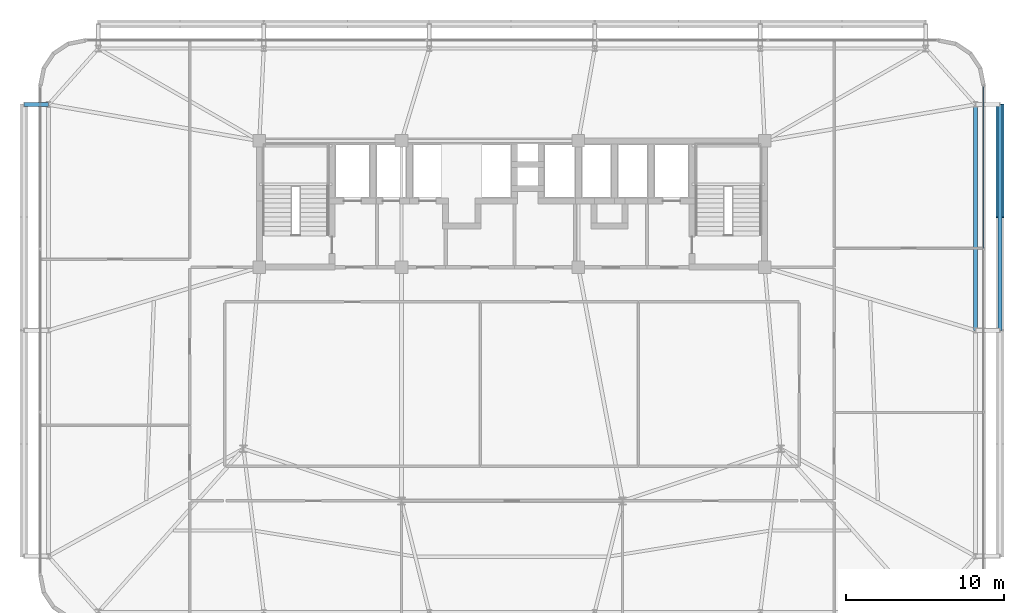
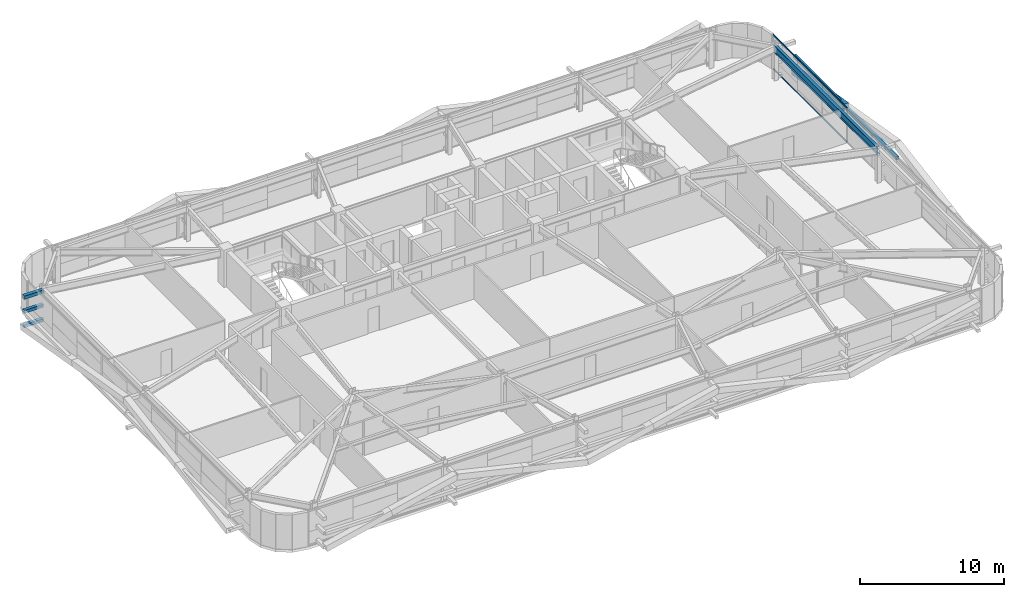
# One storey, part 20 of 44: 7 members, 1 beam, 1 element without a shape of its own.
"""IFC4 building model written with IfcOpenShell, lengths in metres."""

from ifc_helpers import new_model, si_unit, direction, frame, origin, origin_2d, place, context, subcontext, project, spatial, hollow_rectangle, i_section, extrude, source, transform, mapped, material, layer, layer_set, material_profile, profile_set, type_object, element, aggregate, save


model = new_model("IFC4")

# Units and contexts
model_context = context("Model", 3, precision=1e-05, world=origin(), true_north=direction((0.0, 1.0)))
body_context = subcontext(model_context, "Body", "Model", "MODEL_VIEW")
ifc_project = project(units=[si_unit("LENGTHUNIT", "METRE"), si_unit("AREAUNIT", "SQUARE_METRE"), si_unit("VOLUMEUNIT", "CUBIC_METRE"), si_unit("PLANEANGLEUNIT", "RADIAN"), si_unit("MASSUNIT", "GRAM", prefix="KILO")], contexts=[model_context])

# Site, building, storey
site_placement = place(None, origin())
site = spatial("IfcSite", under=ifc_project, at=site_placement, CompositionType="ELEMENT")
building_placement = place(site_placement, origin())
building = spatial("IfcBuilding", under=site, at=building_placement, Name="Taldren Reach Tower", CompositionType="ELEMENT")
storey_placement = place(building_placement, frame((0.0, 0.0, 42.0)))
storey = spatial("IfcBuildingStorey", under=building, at=storey_placement, Name="L12", CompositionType="ELEMENT", Elevation=42.0)

# Beam
ifc_material_1 = material(Name="Steel Gr 350 (350PLUS)", Category="steel")
ifc_material_profile_1 = material_profile(ifc_material_1, i_section(OverallWidth=0.22802734375, OverallDepth=0.60205078125, WebThickness=0.010498046875, FlangeThickness=0.014892578125, at=origin_2d()), Name="610UB101")
ifc_profile_set_1 = profile_set([ifc_material_profile_1], Name="Steel Gr 350 (350PLUS)")
beam_type = type_object("IfcBeamType", Name="BM-UB610B", PredefinedType="BEAM", material=ifc_profile_set_1)
shared_shape_1 = source(origin(), body_context, "Body", "SweptSolid", [
    extrude(i_section(OverallWidth=0.22802734375, OverallDepth=0.60205078125, WebThickness=0.010498046875, FlangeThickness=0.014892578125, at=origin_2d()), origin(), (0.0, 0.0, 1.0), 14.300048828125),
])
beam_placement = place(storey_placement, frame((64.35009765625, 20.0, 2.62890625), z_axis=(0.0, 1.0, 0.0), x_axis=(-1.0, 0.0, 0.0)))
element("IfcBeam", 1, at=beam_placement, inside=storey, type_object=beam_type, Name="Perimeter gable girder B1 E2-E3 L12", PredefinedType="BEAM", context=body_context, shape_type="MappedRepresentation", body=[
    mapped(shared_shape_1, transform((0.0, 0.0, 0.0), scale=1.0)),
])

# Members
ifc_material_2 = material(Name="Steel Gr 450 (C450L0)", Category="steel")
ifc_material_profile_2 = material_profile(ifc_material_2, hollow_rectangle(XDim=0.27490234375, YDim=0.27490234375, WallThickness=0.00927734375, at=origin_2d()), Name="275x275x9.3SHS")
ifc_profile_set_2 = profile_set([ifc_material_profile_2], Name="Steel Gr 450 (C450L0)")
member_type_1 = type_object("IfcMemberType", Name="MB-TIE273", PredefinedType="STRUT", material=ifc_profile_set_2)
shared_shape_2 = source(origin(), body_context, "Body", "SweptSolid", [
    extrude(hollow_rectangle(XDim=0.27490234375, YDim=0.27490234375, WallThickness=0.00927734375, at=origin_2d()), origin(), (0.0, 0.0, 1.0), 1.5498046875),
])
member_1_placement = place(storey_placement, frame((5.64990234375, 34.300048828125, 2.64990234375), z_axis=(-1.0, 0.0, 0.0), x_axis=(0.0, -1.0, 0.0)))
element("IfcMember", 2, at=member_1_placement, inside=storey, type_object=member_type_1, Name="Exoskeleton diaphragm tie strut B1-W3 L12", PredefinedType="STRUT", context=body_context, shape_type="MappedRepresentation", body=[
    mapped(shared_shape_2, transform((0.0, 0.0, 0.0), scale=1.0)),
])
ifc_material_3 = material(Name="Steel Gr 350 (C350L0)", Category="steel")
ifc_material_profile_3 = material_profile(ifc_material_3, hollow_rectangle(XDim=0.25, YDim=0.25, WallThickness=0.010009765625, at=origin_2d()), Name="250x250x10.0SHS")
ifc_profile_set_3 = profile_set([ifc_material_profile_3], Name="Steel Gr 350 (C350L0)")
member_type_2 = type_object("IfcMemberType", Name="MB-POST250", PredefinedType="POST", material=ifc_profile_set_3)
shared_shape_3 = source(origin(), body_context, "Body", "SweptSolid", [
    extrude(hollow_rectangle(XDim=0.25, YDim=0.25, WallThickness=0.010009765625, at=origin_2d()), origin(), (0.0, 0.0, 1.0), 1.5498046875),
])
for number, where, z_axis, x_axis, name in (
    (3, (5.64990234375, 34.300048828125, 0.219970703125), (-1.0, 0.0, 0.0), (0.0, -1.0, 0.0), "Exoskeleton base diaphragm tie strut B1-W3 L12"),
    (4, (5.64990234375, 34.300048828125, 1.43505859375), (-1.0, 0.0, 0.0), (0.0, -1.0, 0.0), "Exoskeleton mid-tier diaphragm tie B1-W3 L12"),
):
    element("IfcMember", number, at=place(storey_placement, frame(where, z_axis=z_axis, x_axis=x_axis)), inside=storey, type_object=member_type_2, Name=name, PredefinedType="POST", context=body_context, shape_type="MappedRepresentation", body=[
        mapped(shared_shape_3, transform((0.0, 0.0, 0.0), scale=1.0)),
    ])
ifc_material_profile_4 = material_profile(ifc_material_2, hollow_rectangle(XDim=0.510009765625, YDim=0.510009765625, WallThickness=0.02001953125, at=origin_2d()), Name="510x510x20.0SHS")
ifc_profile_set_4 = profile_set([ifc_material_profile_4], Name="Steel Gr 450 (C450L0)")
member_type_3 = type_object("IfcMemberType", Name="MB-EXO508", PredefinedType="BRACE", material=ifc_profile_set_4)
shared_shape_4 = source(origin(), body_context, "Body", "SweptSolid", [
    extrude(hollow_rectangle(XDim=0.510009765625, YDim=0.510009765625, WallThickness=0.02001953125, at=origin_2d()), origin(), (0.0, 0.0, 1.0), 7.252685546875),
])
member_2_placement = place(storey_placement, frame((65.89990234375, 34.300048828125, 0.219970703125), z_axis=(0.0, -0.985865800628, 0.167536930711), x_axis=(1.0, 0.0, 0.0)))
element("IfcMember", 5, at=member_2_placement, inside=storey, type_object=member_type_3, Name="Exoskeleton Diagrid Brace B1-E2 L12", PredefinedType="BRACE", context=body_context, shape_type="MappedRepresentation", body=[
    mapped(shared_shape_4, transform((0.0, 0.0, 0.0), scale=1.0)),
])
shared_shape_5 = source(origin(), body_context, "Body", "SweptSolid", [
    extrude(hollow_rectangle(XDim=0.25, YDim=0.25, WallThickness=0.010009765625, at=origin_2d()), origin(), (0.0, 0.0, 1.0), 14.300048828125),
])
member_3_placement = place(storey_placement, frame((65.89990234375, 20.0, 1.43505859375), z_axis=(0.0, 1.0, 0.0), x_axis=(-1.0, 0.0, 0.0)))
element("IfcMember", 6, at=member_3_placement, inside=storey, type_object=member_type_2, Name="Exoskeleton mid-height ring chord B1-E2 L12", PredefinedType="POST", context=body_context, shape_type="MappedRepresentation", body=[
    mapped(shared_shape_5, transform((0.0, 0.0, 0.0), scale=1.0)),
])

# Curtain wall, members
ifc_material_4 = material(Name="Aluminium and Low-E Glass Unitised System", Category="aluminium")
ifc_layer = layer(ifc_material_4, 0.159912109375)
ifc_layer_set = layer_set([ifc_layer], Name="Aluminium and Low-E Glass Unitised System")
curtain_wall_type = type_object("IfcCurtainWallType", Name="CW-SYS-2", PredefinedType="NOTDEFINED", material=ifc_layer_set)
curtain_wall_placement = place(storey_placement, origin())
curtain_wall = element("IfcCurtainWall", 7, at=curtain_wall_placement, inside=storey, type_object=curtain_wall_type, Name="Unitised curtain wall CW-L12-E", PredefinedType="NOTDEFINED")
ifc_material_5 = material(Name="Anodised Aluminium 6063-T6", Category="aluminium")
ifc_material_profile_5 = material_profile(ifc_material_5, hollow_rectangle(XDim=0.054931640625, YDim=0.1201171875, WallThickness=0.0029296875, at=origin_2d()), Name="ALU-120x55x3RHS")
ifc_profile_set_5 = profile_set([ifc_material_profile_5], Name="Anodised Aluminium 6063-T6")
member_type_4 = type_object("IfcMemberType", Name="CW-TRN-135", PredefinedType="USERDEFINED", material=ifc_profile_set_5)
shared_shape_6 = source(origin(), body_context, "Body", "SweptSolid", [
    extrude(hollow_rectangle(XDim=0.054931640625, YDim=0.1201171875, WallThickness=0.0029296875, at=origin_2d()), origin(), (0.0, 0.0, 1.0), 10.23583984375),
])
member_4_placement = place(storey_placement, frame((64.860107421875, 25.19921875, 0.027587890625), z_axis=(0.0, 1.0, 0.0), x_axis=(-1.0, 0.0, 0.0)))
member_4 = element("IfcMember", 8, at=member_4_placement, type_object=member_type_4, Name="CW-2 transom 3.1", ObjectType="TRANSOM", PredefinedType="USERDEFINED", context=body_context, shape_type="MappedRepresentation", body=[
    mapped(shared_shape_6, transform((0.0, 0.0, 0.0), scale=1.0)),
])
member_5_placement = place(storey_placement, frame((64.860107421875, 25.19921875, 2.902587890625), z_axis=(0.0, 1.0, 0.0), x_axis=(-1.0, 0.0, 0.0)))
member_5 = element("IfcMember", 9, at=member_5_placement, type_object=member_type_4, Name="CW-2 transom 3.2", ObjectType="TRANSOM", PredefinedType="USERDEFINED", context=body_context, shape_type="MappedRepresentation", body=[
    mapped(shared_shape_6, transform((0.0, 0.0, 0.0), scale=1.0)),
])
aggregate(curtain_wall, [member_4, member_5])

save(model, "model.ifc")
